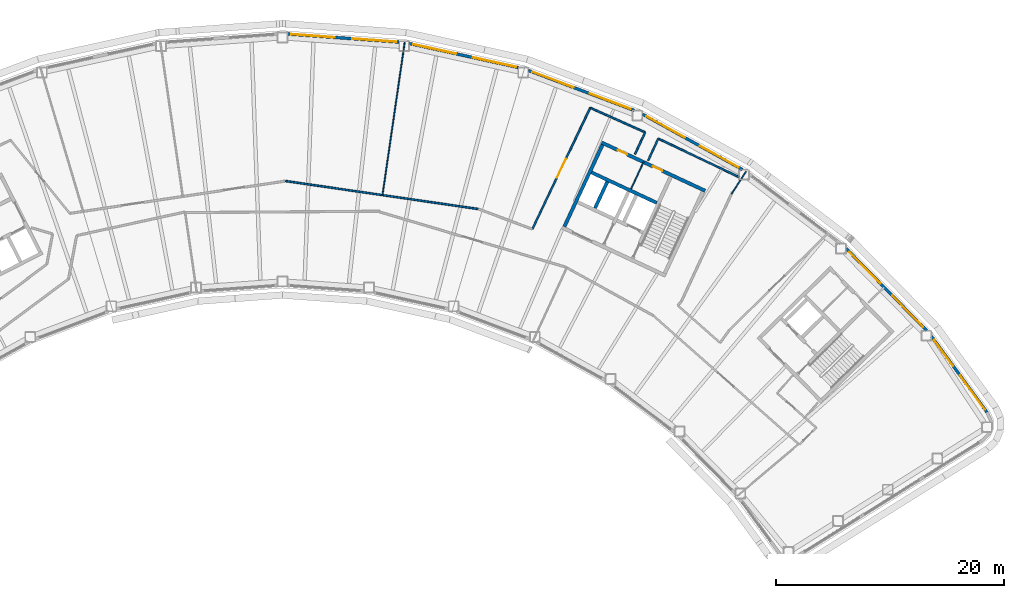
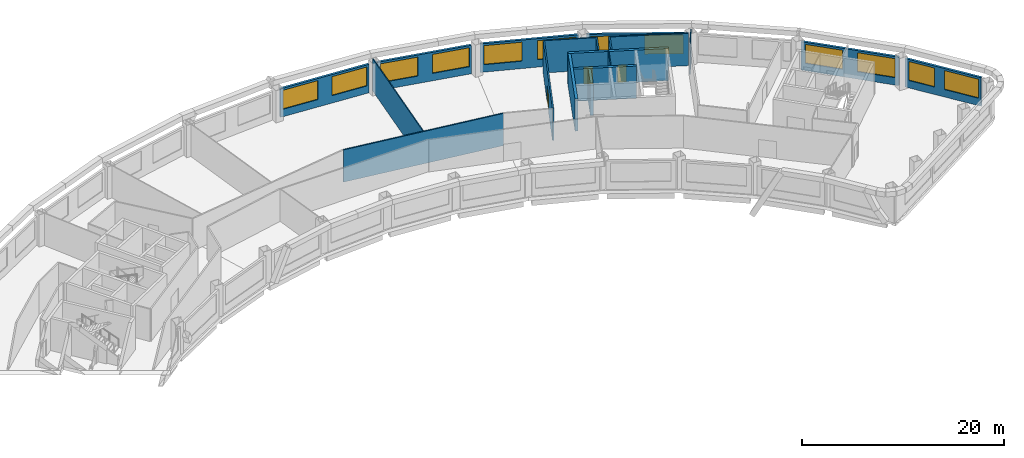
# One storey, part 9 of 12: 19 walls, 12 windows, 3 doors, 15 openings.
"""IFC4 building model written with IfcOpenShell, lengths in metres."""

from ifc_helpers import new_model, si_unit, direction, frame, frame_2d, origin, place, context, subcontext, project, spatial, rectangle, extrude, material, layer, layer_set, type_object, element, fill, save


model = new_model("IFC4")

# Units and contexts
model_context = context("Model", 3, precision=1e-05, world=origin(), true_north=direction((0.0, 1.0)))
body_context = subcontext(model_context, "Body", "Model", "MODEL_VIEW")
ifc_project = project(units=[si_unit("LENGTHUNIT", "METRE"), si_unit("AREAUNIT", "SQUARE_METRE"), si_unit("VOLUMEUNIT", "CUBIC_METRE"), si_unit("PLANEANGLEUNIT", "RADIAN"), si_unit("MASSUNIT", "GRAM", prefix="KILO")], contexts=[model_context])

# Site, building, storey
site_placement = place(None, origin())
site = spatial("IfcSite", under=ifc_project, at=site_placement, CompositionType="ELEMENT")
building_placement = place(site_placement, origin())
building = spatial("IfcBuilding", under=site, at=building_placement, Name="Tuul Gate Civic Tower", CompositionType="ELEMENT")
storey_placement = place(building_placement, frame((0.0, 0.0, 176.300048828125)))
storey = spatial("IfcBuildingStorey", under=building, at=storey_placement, Name="Level 40", CompositionType="ELEMENT", Elevation=176.300048828125)

# Wall
ifc_material_1 = material(Name="Concrete C50/60", Category="concrete")
ifc_layer_1 = layer(ifc_material_1, 0.300048828125)
ifc_layer_set_1 = layer_set([ifc_layer_1], Name="Concrete C50/60")
wall_type_1 = type_object("IfcWallType", Name="Core wall C50/60", PredefinedType="SHEAR", material=ifc_layer_set_1)
wall_1_placement = place(storey_placement, frame((33.75, -0.873779296875, 0.0), z_axis=(0.0, 0.0, 1.0), x_axis=(-0.906300917592, 0.422632992999, 0.0)))
element("IfcWall", 1, at=wall_1_placement, inside=storey, type_object=wall_type_1, Name="Core wall", PredefinedType="SHEAR", context=body_context, shape_type="SweptSolid", body=[
    extrude(rectangle(XDim=6.300048828125, YDim=0.300048828125, at=frame_2d((3.14990234375, 0.0))), origin(), (0.0, 0.0, 1.0), 3.89990234375),
])

# Wall, openings, doors
wall_2_placement = place(storey_placement, frame((37.993408203125, 0.181884765625, 0.0), z_axis=(0.0, 0.0, 1.0), x_axis=(-0.906310338845, 0.422612789327, 0.0)))
wall_2 = element("IfcWall", 2, at=wall_2_placement, inside=storey, type_object=wall_type_1, Name="Core wall", PredefinedType="SHEAR", context=body_context, shape_type="SweptSolid", body=[
    extrude(rectangle(XDim=9.999755859375, YDim=0.300048828125, at=frame_2d((5.0, 0.0))), origin(), (0.0, 0.0, 1.0), 3.89990234375),
])
opening_1_placement = place(wall_2_placement, frame((4.14990234375, 0.0, 0.0)))
opening_1 = element("IfcOpeningElement", 3, at=opening_1_placement, cuts=wall_2, Name="Opening N-D17", PredefinedType="OPENING", context=body_context, shape_type="SweptSolid", body=[
    extrude(rectangle(XDim=0.89990234375, YDim=2.10009765625, at=frame_2d((0.449951171875, 1.050048828125))), frame((0.0, 0.16015625, 0.0), z_axis=(0.0, -1.0, 0.0), x_axis=(1.0, 0.0, 0.0)), (0.0, 0.0, 1.0), 0.320068359375),
])
opening_2_placement = place(wall_2_placement, frame((7.52490234375, 0.0, 0.0)))
opening_2 = element("IfcOpeningElement", 4, at=opening_2_placement, cuts=wall_2, Name="Opening N-D18", PredefinedType="OPENING", context=body_context, shape_type="SweptSolid", body=[
    extrude(rectangle(XDim=0.89990234375, YDim=2.10009765625, at=frame_2d((0.449951171875, 1.050048828125))), frame((0.0, 0.16015625, 0.0), z_axis=(0.0, -1.0, 0.0), x_axis=(1.0, 0.0, 0.0)), (0.0, 0.0, 1.0), 0.320068359375),
])
ifc_material_2 = material(Name="Timber door leaf", Category="wood")
door_type_1 = type_object("IfcDoorType", Name="Door D09", OperationType="NOTDEFINED", PredefinedType="DOOR", material=ifc_material_2)
door_1_placement = place(opening_1_placement, origin())
door_1 = element("IfcDoor", 5, at=door_1_placement, inside=storey, type_object=door_type_1, Name="Door N-D17", OperationType="SINGLE_SWING_LEFT", OverallHeight=2.10009765625, OverallWidth=0.89990234375, PredefinedType="DOOR", context=body_context, shape_type="SweptSolid", body=[
    extrude(rectangle(XDim=0.89990234375, YDim=2.10009765625, at=frame_2d((0.449951171875, 1.050048828125))), frame((0.0, 0.02490234375, 0.0), z_axis=(0.0, -1.0, 0.0), x_axis=(1.0, 0.0, 0.0)), (0.0, 0.0, 1.0), 0.050048828125),
])
fill(opening_1, door_1)
door_2_placement = place(opening_2_placement, origin())
door_2 = element("IfcDoor", 6, at=door_2_placement, inside=storey, type_object=door_type_1, Name="Door N-D18", OperationType="SINGLE_SWING_RIGHT", OverallHeight=2.10009765625, OverallWidth=0.89990234375, PredefinedType="DOOR", context=body_context, shape_type="SweptSolid", body=[
    extrude(rectangle(XDim=0.89990234375, YDim=2.10009765625, at=frame_2d((0.449951171875, 1.050048828125))), frame((0.0, 0.02490234375, 0.0), z_axis=(0.0, -1.0, 0.0), x_axis=(1.0, 0.0, 0.0)), (0.0, 0.0, 1.0), 0.050048828125),
])
fill(opening_2, door_2)

# Walls
wall_3_placement = place(storey_placement, frame((28.349365234375, -1.33447265625, 0.0), z_axis=(0.0, 0.0, 1.0), x_axis=(0.422612891016, 0.906310291427, 0.0)))
element("IfcWall", 7, at=wall_3_placement, inside=storey, type_object=wall_type_1, Name="Core wall", PredefinedType="SHEAR", context=body_context, shape_type="SweptSolid", body=[
    extrude(rectangle(XDim=2.550048828125, YDim=0.300048828125, at=frame_2d((1.27490234375, 0.0))), origin(), (0.0, 0.0, 1.0), 3.89990234375),
])
wall_4_placement = place(storey_placement, frame((25.66455078125, -2.951416015625, 0.0), z_axis=(0.0, 0.0, 1.0), x_axis=(0.422582604137, 0.906324413596, 0.0)))
element("IfcWall", 8, at=wall_4_placement, inside=storey, type_object=wall_type_1, Name="Core wall", PredefinedType="SHEAR", context=body_context, shape_type="SweptSolid", body=[
    extrude(rectangle(XDim=7.89990234375, YDim=0.300048828125, at=frame_2d((3.949951171875, 0.0))), origin(), (0.0, 0.0, 1.0), 3.89990234375),
])
ifc_material_3 = material(Name="Gypsum board partition")
ifc_layer_2 = layer(ifc_material_3, 0.14990234375)
ifc_layer_set_2 = layer_set([ifc_layer_2], Name="Gypsum board partition")
wall_type_2 = type_object("IfcWallType", Name="Corridor wall P150", PredefinedType="PARTITIONING", material=ifc_layer_set_2)
wall_5_placement = place(storey_placement, frame((33.8916015625, 4.752685546875, 0.0), z_axis=(0.0, 0.0, 1.0), x_axis=(0.902625805937, -0.430426131243, 0.0)))
element("IfcWall", 9, at=wall_5_placement, inside=storey, type_object=wall_type_2, Name="p010", PredefinedType="PARTITIONING", context=body_context, shape_type="SweptSolid", body=[
    extrude(rectangle(XDim=7.84912109375, YDim=0.14990234375, at=frame_2d((3.924560546875, 0.0))), origin(), (0.0, 0.0, 1.0), 3.89990234375),
])
wall_6_placement = place(storey_placement, frame((33.0, 2.842041015625, 0.0), z_axis=(0.0, 0.0, 1.0), x_axis=(0.422631825542, 0.906301462008, 0.0)))
element("IfcWall", 10, at=wall_6_placement, inside=storey, type_object=wall_type_2, Name="p011", PredefinedType="PARTITIONING", context=body_context, shape_type="SweptSolid", body=[
    extrude(rectangle(XDim=2.10791015625, YDim=0.14990234375, at=frame_2d((1.053955078125, 0.0))), origin(), (0.0, 0.0, 1.0), 3.89990234375),
])
wall_7_placement = place(storey_placement, frame((31.84423828125, 3.381103515625, 0.0), z_axis=(0.0, 0.0, 1.0), x_axis=(0.422436792408, 0.90639238546, 0.0)))
element("IfcWall", 11, at=wall_7_placement, inside=storey, type_object=wall_type_2, Name="p012", PredefinedType="PARTITIONING", context=body_context, shape_type="SweptSolid", body=[
    extrude(rectangle(XDim=2.115234375, YDim=0.14990234375, at=frame_2d((1.0576171875, 0.0))), origin(), (0.0, 0.0, 1.0), 3.89990234375),
])
wall_8_placement = place(storey_placement, frame((27.93212890625, 7.44873046875, 0.0), z_axis=(0.0, 0.0, 1.0), x_axis=(0.912827805249, -0.408344704832, 0.0)))
element("IfcWall", 12, at=wall_8_placement, inside=storey, type_object=wall_type_2, Name="p013", PredefinedType="PARTITIONING", context=body_context, shape_type="SweptSolid", body=[
    extrude(rectangle(XDim=5.264404296875, YDim=0.14990234375, at=frame_2d((2.63232421875, 0.0))), origin(), (0.0, 0.0, 1.0), 3.89990234375),
])

# Wall, opening, door
wall_9_placement = place(storey_placement, frame((22.8671875, -3.15185546875, 0.0), z_axis=(0.0, 0.0, 1.0), x_axis=(0.431073076798, 0.902317018824, 0.0)))
wall_9 = element("IfcWall", 13, at=wall_9_placement, inside=storey, type_object=wall_type_2, Name="p014", PredefinedType="PARTITIONING", context=body_context, shape_type="SweptSolid", body=[
    extrude(rectangle(XDim=11.747802734375, YDim=0.14990234375, at=frame_2d((5.8740234375, 0.0))), origin(), (0.0, 0.0, 1.0), 3.89990234375),
])
opening_3_placement = place(wall_9_placement, frame((4.973876953125, 0.0, 0.0)))
opening_3 = element("IfcOpeningElement", 14, at=opening_3_placement, cuts=wall_9, Name="Opening N-D03", PredefinedType="OPENING", context=body_context, shape_type="SweptSolid", body=[
    extrude(rectangle(XDim=1.800048828125, YDim=2.10009765625, at=frame_2d((0.89990234375, 1.050048828125))), frame((0.0, 0.0849609375, 0.0), z_axis=(0.0, -1.0, 0.0), x_axis=(1.0, 0.0, 0.0)), (0.0, 0.0, 1.0), 0.169921875),
])
ifc_material_4 = material(Name="Timber door leaf, double", Category="wood")
door_type_2 = type_object("IfcDoorType", Name="Door D18", OperationType="DOUBLE_DOOR_SINGLE_SWING", PredefinedType="DOOR", material=ifc_material_4)
door_3_placement = place(opening_3_placement, origin())
door_3 = element("IfcDoor", 15, at=door_3_placement, inside=storey, type_object=door_type_2, Name="Door N-D03", OperationType="DOUBLE_DOOR_SINGLE_SWING", OverallHeight=2.10009765625, OverallWidth=1.800048828125, PredefinedType="DOOR", context=body_context, shape_type="SweptSolid", body=[
    extrude(rectangle(XDim=1.800048828125, YDim=2.10009765625, at=frame_2d((0.89990234375, 1.050048828125))), frame((0.0, 0.02490234375, 0.0), z_axis=(0.0, -1.0, 0.0), x_axis=(1.0, 0.0, 0.0)), (0.0, 0.0, 1.0), 0.050048828125),
])
fill(opening_3, door_3)

# Wall
wall_10_placement = place(storey_placement, frame((1.25537109375, 1.03857421875, 0.0), z_axis=(0.0, 0.0, 1.0), x_axis=(0.989615624531, -0.143739054139, 0.0)))
element("IfcWall", 16, at=wall_10_placement, inside=storey, type_object=wall_type_2, Name="p016", PredefinedType="PARTITIONING", context=body_context, shape_type="SweptSolid", body=[
    extrude(rectangle(XDim=17.059814453125, YDim=0.14990234375, at=frame_2d((8.52978515625, 0.0))), origin(), (0.0, 0.0, 1.0), 3.89990234375),
])

# Wall, openings, windows
ifc_material_5 = material(Name="Precast concrete C40/50", Category="concrete")
ifc_layer_3 = layer(ifc_material_5, 0.25)
ifc_layer_set_3 = layer_set([ifc_layer_3], Name="Precast concrete C40/50")
wall_type_3 = type_object("IfcWallType", Name="External wall", PredefinedType="STANDARD", material=ifc_layer_set_3)
wall_11_placement = place(storey_placement, frame((62.678955078125, -19.229736328125, 0.0), z_axis=(0.0, 0.0, 1.0), x_axis=(-0.589755466838, 0.80758187779, 0.0)))
wall_11 = element("IfcWall", 17, at=wall_11_placement, inside=storey, type_object=wall_type_3, Name="External wall", PredefinedType="STANDARD", context=body_context, shape_type="SweptSolid", body=[
    extrude(rectangle(XDim=8.25244140625, YDim=0.25, at=frame_2d((4.126220703125, 0.0))), origin(), (0.0, 0.0, 1.0), 3.449951171875),
])
opening_4_placement = place(wall_11_placement, frame((0.30078125, 0.0, 0.89990234375)))
opening_4 = element("IfcOpeningElement", 18, at=opening_4_placement, cuts=wall_11, Name="Opening W21", PredefinedType="OPENING", context=body_context, shape_type="SweptSolid", body=[
    extrude(rectangle(XDim=3.699951171875, YDim=2.300048828125, at=frame_2d((1.85009765625, 1.14990234375))), frame((0.0, 0.135009765625, 0.0), z_axis=(0.0, -1.0, 0.0), x_axis=(1.0, 0.0, 0.0)), (0.0, 0.0, 1.0), 0.27001953125),
])
opening_5_placement = place(wall_11_placement, frame((5.052734375, 0.0, 0.89990234375)))
opening_5 = element("IfcOpeningElement", 19, at=opening_5_placement, cuts=wall_11, Name="Opening W23", PredefinedType="OPENING", context=body_context, shape_type="SweptSolid", body=[
    extrude(rectangle(XDim=2.800048828125, YDim=2.300048828125, at=frame_2d((1.39990234375, 1.14990234375))), frame((0.0, 0.135009765625, 0.0), z_axis=(0.0, -1.0, 0.0), x_axis=(1.0, 0.0, 0.0)), (0.0, 0.0, 1.0), 0.27001953125),
])
ifc_material_6 = material(Name="Glass", Category="glass")
window_type_1 = type_object("IfcWindowType", Name="Window W21 3700 x 2300", PartitioningType="SINGLE_PANEL", PredefinedType="WINDOW", material=ifc_material_6)
window_1_placement = place(opening_4_placement, origin())
window_1 = element("IfcWindow", 20, at=window_1_placement, inside=storey, type_object=window_type_1, Name="Window", OverallHeight=2.300048828125, OverallWidth=3.699951171875, PartitioningType="SINGLE_PANEL", PredefinedType="WINDOW", context=body_context, shape_type="SweptSolid", body=[
    extrude(rectangle(XDim=3.699951171875, YDim=2.300048828125, at=frame_2d((1.85009765625, 1.14990234375))), frame((0.0, 0.030029296875, 0.0), z_axis=(0.0, -1.0, 0.0), x_axis=(1.0, 0.0, 0.0)), (0.0, 0.0, 1.0), 0.06005859375),
])
fill(opening_4, window_1)
ifc_material_7 = material(Name="Glass", Category="glass")
window_type_2 = type_object("IfcWindowType", Name="Window W23 2800 x 2300", PartitioningType="SINGLE_PANEL", PredefinedType="WINDOW", material=ifc_material_7)
window_2_placement = place(opening_5_placement, origin())
window_2 = element("IfcWindow", 21, at=window_2_placement, inside=storey, type_object=window_type_2, Name="Window", OverallHeight=2.300048828125, OverallWidth=2.800048828125, PartitioningType="SINGLE_PANEL", PredefinedType="WINDOW", context=body_context, shape_type="SweptSolid", body=[
    extrude(rectangle(XDim=2.800048828125, YDim=2.300048828125, at=frame_2d((1.39990234375, 1.14990234375))), frame((0.0, 0.030029296875, 0.0), z_axis=(0.0, -1.0, 0.0), x_axis=(1.0, 0.0, 0.0)), (0.0, 0.0, 1.0), 0.06005859375),
])
fill(opening_5, window_2)

wall_12_placement = place(storey_placement, frame((57.3759765625, -12.050048828125, 0.0), z_axis=(0.0, 0.0, 1.0), x_axis=(-0.700042765506, 0.714100921763, 0.0)))
wall_12 = element("IfcWall", 22, at=wall_12_placement, inside=storey, type_object=wall_type_3, Name="External wall", PredefinedType="STANDARD", context=body_context, shape_type="SweptSolid", body=[
    extrude(rectangle(XDim=10.05517578125, YDim=0.25, at=frame_2d((5.027587890625, 0.0))), origin(), (0.0, 0.0, 1.0), 3.449951171875),
])
opening_6_placement = place(wall_12_placement, frame((0.416748046875, 0.0, 0.89990234375)))
opening_6 = element("IfcOpeningElement", 23, at=opening_6_placement, cuts=wall_12, Name="Opening W22", PredefinedType="OPENING", context=body_context, shape_type="SweptSolid", body=[
    extrude(rectangle(XDim=3.85009765625, YDim=2.300048828125, at=frame_2d((1.925048828125, 1.14990234375))), frame((0.0, 0.135009765625, 0.0), z_axis=(0.0, -1.0, 0.0), x_axis=(1.0, 0.0, 0.0)), (0.0, 0.0, 1.0), 0.27001953125),
])
opening_7_placement = place(wall_12_placement, frame((5.787841796875, 0.0, 0.89990234375)))
opening_7 = element("IfcOpeningElement", 24, at=opening_7_placement, cuts=wall_12, Name="Opening W22", PredefinedType="OPENING", context=body_context, shape_type="SweptSolid", body=[
    extrude(rectangle(XDim=3.85009765625, YDim=2.300048828125, at=frame_2d((1.925048828125, 1.14990234375))), frame((0.0, 0.135009765625, 0.0), z_axis=(0.0, -1.0, 0.0), x_axis=(1.0, 0.0, 0.0)), (0.0, 0.0, 1.0), 0.27001953125),
])
ifc_material_8 = material(Name="Glass", Category="glass")
window_type_3 = type_object("IfcWindowType", Name="Window W22 3850 x 2300", PartitioningType="SINGLE_PANEL", PredefinedType="WINDOW", material=ifc_material_8)
window_3_placement = place(opening_6_placement, origin())
window_3 = element("IfcWindow", 25, at=window_3_placement, inside=storey, type_object=window_type_3, Name="Window", OverallHeight=2.300048828125, OverallWidth=3.85009765625, PartitioningType="SINGLE_PANEL", PredefinedType="WINDOW", context=body_context, shape_type="SweptSolid", body=[
    extrude(rectangle(XDim=3.85009765625, YDim=2.300048828125, at=frame_2d((1.925048828125, 1.14990234375))), frame((0.0, 0.030029296875, 0.0), z_axis=(0.0, -1.0, 0.0), x_axis=(1.0, 0.0, 0.0)), (0.0, 0.0, 1.0), 0.06005859375),
])
fill(opening_6, window_3)
window_4_placement = place(opening_7_placement, origin())
window_4 = element("IfcWindow", 26, at=window_4_placement, inside=storey, type_object=window_type_3, Name="Window", OverallHeight=2.300048828125, OverallWidth=3.85009765625, PartitioningType="SINGLE_PANEL", PredefinedType="WINDOW", context=body_context, shape_type="SweptSolid", body=[
    extrude(rectangle(XDim=3.85009765625, YDim=2.300048828125, at=frame_2d((1.925048828125, 1.14990234375))), frame((0.0, 0.030029296875, 0.0), z_axis=(0.0, -1.0, 0.0), x_axis=(1.0, 0.0, 0.0)), (0.0, 0.0, 1.0), 0.06005859375),
])
fill(opening_7, window_4)

wall_13_placement = place(storey_placement, frame((41.251220703125, 2.04296875, 0.0), z_axis=(0.0, 0.0, 1.0), x_axis=(-0.874633566806, 0.484784615903, 0.0)))
wall_13 = element("IfcWall", 27, at=wall_13_placement, inside=storey, type_object=wall_type_3, Name="External wall", PredefinedType="STANDARD", context=body_context, shape_type="SweptSolid", body=[
    extrude(rectangle(XDim=10.001220703125, YDim=0.25, at=frame_2d((5.00048828125, 0.0))), origin(), (0.0, 0.0, 1.0), 3.449951171875),
])
opening_8_placement = place(wall_13_placement, frame((0.38671875, 0.0, 0.89990234375)))
opening_8 = element("IfcOpeningElement", 28, at=opening_8_placement, cuts=wall_13, Name="Opening W22", PredefinedType="OPENING", context=body_context, shape_type="SweptSolid", body=[
    extrude(rectangle(XDim=3.85009765625, YDim=2.300048828125, at=frame_2d((1.925048828125, 1.14990234375))), frame((0.0, 0.135009765625, 0.0), z_axis=(0.0, -1.0, 0.0), x_axis=(1.0, 0.0, 0.0)), (0.0, 0.0, 1.0), 0.27001953125),
])
opening_9_placement = place(wall_13_placement, frame((5.758056640625, 0.0, 0.89990234375)))
opening_9 = element("IfcOpeningElement", 29, at=opening_9_placement, cuts=wall_13, Name="Opening W22", PredefinedType="OPENING", context=body_context, shape_type="SweptSolid", body=[
    extrude(rectangle(XDim=3.85009765625, YDim=2.300048828125, at=frame_2d((1.925048828125, 1.14990234375))), frame((0.0, 0.135009765625, 0.0), z_axis=(0.0, -1.0, 0.0), x_axis=(1.0, 0.0, 0.0)), (0.0, 0.0, 1.0), 0.27001953125),
])
window_5_placement = place(opening_8_placement, origin())
window_5 = element("IfcWindow", 30, at=window_5_placement, inside=storey, type_object=window_type_3, Name="Window", OverallHeight=2.300048828125, OverallWidth=3.85009765625, PartitioningType="SINGLE_PANEL", PredefinedType="WINDOW", context=body_context, shape_type="SweptSolid", body=[
    extrude(rectangle(XDim=3.85009765625, YDim=2.300048828125, at=frame_2d((1.925048828125, 1.14990234375))), frame((0.0, 0.030029296875, 0.0), z_axis=(0.0, -1.0, 0.0), x_axis=(1.0, 0.0, 0.0)), (0.0, 0.0, 1.0), 0.06005859375),
])
fill(opening_8, window_5)
window_6_placement = place(opening_9_placement, origin())
window_6 = element("IfcWindow", 31, at=window_6_placement, inside=storey, type_object=window_type_3, Name="Window", OverallHeight=2.300048828125, OverallWidth=3.85009765625, PartitioningType="SINGLE_PANEL", PredefinedType="WINDOW", context=body_context, shape_type="SweptSolid", body=[
    extrude(rectangle(XDim=3.85009765625, YDim=2.300048828125, at=frame_2d((1.925048828125, 1.14990234375))), frame((0.0, 0.030029296875, 0.0), z_axis=(0.0, -1.0, 0.0), x_axis=(1.0, 0.0, 0.0)), (0.0, 0.0, 1.0), 0.06005859375),
])
fill(opening_9, window_6)

wall_14_placement = place(storey_placement, frame((31.78125, 7.219970703125, 0.0), z_axis=(0.0, 0.0, 1.0), x_axis=(-0.935342915264, 0.353742322694, 0.0)))
wall_14 = element("IfcWall", 32, at=wall_14_placement, inside=storey, type_object=wall_type_3, Name="External wall", PredefinedType="STANDARD", context=body_context, shape_type="SweptSolid", body=[
    extrude(rectangle(XDim=9.904541015625, YDim=0.25, at=frame_2d((4.9521484375, 0.0))), origin(), (0.0, 0.0, 1.0), 3.449951171875),
])
opening_10_placement = place(wall_14_placement, frame((0.314208984375, 0.0, 0.89990234375)))
opening_10 = element("IfcOpeningElement", 33, at=opening_10_placement, cuts=wall_14, Name="Opening W22", PredefinedType="OPENING", context=body_context, shape_type="SweptSolid", body=[
    extrude(rectangle(XDim=3.85009765625, YDim=2.300048828125, at=frame_2d((1.925048828125, 1.14990234375))), frame((0.0, 0.135009765625, 0.0), z_axis=(0.0, -1.0, 0.0), x_axis=(1.0, 0.0, 0.0)), (0.0, 0.0, 1.0), 0.27001953125),
])
opening_11_placement = place(wall_14_placement, frame((5.685546875, 0.0, 0.89990234375)))
opening_11 = element("IfcOpeningElement", 34, at=opening_11_placement, cuts=wall_14, Name="Opening W22", PredefinedType="OPENING", context=body_context, shape_type="SweptSolid", body=[
    extrude(rectangle(XDim=3.85009765625, YDim=2.300048828125, at=frame_2d((1.925048828125, 1.14990234375))), frame((0.0, 0.135009765625, 0.0), z_axis=(0.0, -1.0, 0.0), x_axis=(1.0, 0.0, 0.0)), (0.0, 0.0, 1.0), 0.27001953125),
])
window_7_placement = place(opening_10_placement, origin())
window_7 = element("IfcWindow", 35, at=window_7_placement, inside=storey, type_object=window_type_3, Name="Window", OverallHeight=2.300048828125, OverallWidth=3.85009765625, PartitioningType="SINGLE_PANEL", PredefinedType="WINDOW", context=body_context, shape_type="SweptSolid", body=[
    extrude(rectangle(XDim=3.85009765625, YDim=2.300048828125, at=frame_2d((1.925048828125, 1.14990234375))), frame((0.0, 0.030029296875, 0.0), z_axis=(0.0, -1.0, 0.0), x_axis=(1.0, 0.0, 0.0)), (0.0, 0.0, 1.0), 0.06005859375),
])
fill(opening_10, window_7)
window_8_placement = place(opening_11_placement, origin())
window_8 = element("IfcWindow", 36, at=window_8_placement, inside=storey, type_object=window_type_3, Name="Window", OverallHeight=2.300048828125, OverallWidth=3.85009765625, PartitioningType="SINGLE_PANEL", PredefinedType="WINDOW", context=body_context, shape_type="SweptSolid", body=[
    extrude(rectangle(XDim=3.85009765625, YDim=2.300048828125, at=frame_2d((1.925048828125, 1.14990234375))), frame((0.0, 0.030029296875, 0.0), z_axis=(0.0, -1.0, 0.0), x_axis=(1.0, 0.0, 0.0)), (0.0, 0.0, 1.0), 0.06005859375),
])
fill(opening_11, window_8)

wall_15_placement = place(storey_placement, frame((21.616943359375, 10.978271484375, 0.0), z_axis=(0.0, 0.0, 1.0), x_axis=(-0.976564163257, 0.215226473842, 0.0)))
wall_15 = element("IfcWall", 37, at=wall_15_placement, inside=storey, type_object=wall_type_3, Name="External wall", PredefinedType="STANDARD", context=body_context, shape_type="SweptSolid", body=[
    extrude(rectangle(XDim=9.756591796875, YDim=0.25, at=frame_2d((4.87841796875, 0.0))), origin(), (0.0, 0.0, 1.0), 3.449951171875),
])
opening_12_placement = place(wall_15_placement, frame((0.1962890625, 0.0, 0.89990234375)))
opening_12 = element("IfcOpeningElement", 38, at=opening_12_placement, cuts=wall_15, Name="Opening W22", PredefinedType="OPENING", context=body_context, shape_type="SweptSolid", body=[
    extrude(rectangle(XDim=3.85009765625, YDim=2.300048828125, at=frame_2d((1.925048828125, 1.14990234375))), frame((0.0, 0.135009765625, 0.0), z_axis=(0.0, -1.0, 0.0), x_axis=(1.0, 0.0, 0.0)), (0.0, 0.0, 1.0), 0.27001953125),
])
opening_13_placement = place(wall_15_placement, frame((5.567626953125, 0.0, 0.89990234375)))
opening_13 = element("IfcOpeningElement", 39, at=opening_13_placement, cuts=wall_15, Name="Opening W22", PredefinedType="OPENING", context=body_context, shape_type="SweptSolid", body=[
    extrude(rectangle(XDim=3.85009765625, YDim=2.300048828125, at=frame_2d((1.925048828125, 1.14990234375))), frame((0.0, 0.135009765625, 0.0), z_axis=(0.0, -1.0, 0.0), x_axis=(1.0, 0.0, 0.0)), (0.0, 0.0, 1.0), 0.27001953125),
])
window_9_placement = place(opening_12_placement, origin())
window_9 = element("IfcWindow", 40, at=window_9_placement, inside=storey, type_object=window_type_3, Name="Window", OverallHeight=2.300048828125, OverallWidth=3.85009765625, PartitioningType="SINGLE_PANEL", PredefinedType="WINDOW", context=body_context, shape_type="SweptSolid", body=[
    extrude(rectangle(XDim=3.85009765625, YDim=2.300048828125, at=frame_2d((1.925048828125, 1.14990234375))), frame((0.0, 0.030029296875, 0.0), z_axis=(0.0, -1.0, 0.0), x_axis=(1.0, 0.0, 0.0)), (0.0, 0.0, 1.0), 0.06005859375),
])
fill(opening_12, window_9)
window_10_placement = place(opening_13_placement, origin())
window_10 = element("IfcWindow", 41, at=window_10_placement, inside=storey, type_object=window_type_3, Name="Window", OverallHeight=2.300048828125, OverallWidth=3.85009765625, PartitioningType="SINGLE_PANEL", PredefinedType="WINDOW", context=body_context, shape_type="SweptSolid", body=[
    extrude(rectangle(XDim=3.85009765625, YDim=2.300048828125, at=frame_2d((1.925048828125, 1.14990234375))), frame((0.0, 0.030029296875, 0.0), z_axis=(0.0, -1.0, 0.0), x_axis=(1.0, 0.0, 0.0)), (0.0, 0.0, 1.0), 0.06005859375),
])
fill(opening_13, window_10)

wall_16_placement = place(storey_placement, frame((11.18896484375, 13.202880859375, 0.0), z_axis=(0.0, 0.0, 1.0), x_axis=(-0.997385917902, 0.072258776432, 0.0)))
wall_16 = element("IfcWall", 42, at=wall_16_placement, inside=storey, type_object=wall_type_3, Name="External wall", PredefinedType="STANDARD", context=body_context, shape_type="SweptSolid", body=[
    extrude(rectangle(XDim=9.774658203125, YDim=0.25, at=frame_2d((4.88720703125, 0.0))), origin(), (0.0, 0.0, 1.0), 3.449951171875),
])
opening_14_placement = place(wall_16_placement, frame((0.253173828125, 0.0, 0.89990234375)))
opening_14 = element("IfcOpeningElement", 43, at=opening_14_placement, cuts=wall_16, Name="Opening W22", PredefinedType="OPENING", context=body_context, shape_type="SweptSolid", body=[
    extrude(rectangle(XDim=3.85009765625, YDim=2.300048828125, at=frame_2d((1.925048828125, 1.14990234375))), frame((0.0, 0.135009765625, 0.0), z_axis=(0.0, -1.0, 0.0), x_axis=(1.0, 0.0, 0.0)), (0.0, 0.0, 1.0), 0.27001953125),
])
opening_15_placement = place(wall_16_placement, frame((5.624267578125, 0.0, 0.89990234375)))
opening_15 = element("IfcOpeningElement", 44, at=opening_15_placement, cuts=wall_16, Name="Opening W22", PredefinedType="OPENING", context=body_context, shape_type="SweptSolid", body=[
    extrude(rectangle(XDim=3.85009765625, YDim=2.300048828125, at=frame_2d((1.925048828125, 1.14990234375))), frame((0.0, 0.135009765625, 0.0), z_axis=(0.0, -1.0, 0.0), x_axis=(1.0, 0.0, 0.0)), (0.0, 0.0, 1.0), 0.27001953125),
])
window_11_placement = place(opening_14_placement, origin())
window_11 = element("IfcWindow", 45, at=window_11_placement, inside=storey, type_object=window_type_3, Name="Window", OverallHeight=2.300048828125, OverallWidth=3.85009765625, PartitioningType="SINGLE_PANEL", PredefinedType="WINDOW", context=body_context, shape_type="SweptSolid", body=[
    extrude(rectangle(XDim=3.85009765625, YDim=2.300048828125, at=frame_2d((1.925048828125, 1.14990234375))), frame((0.0, 0.030029296875, 0.0), z_axis=(0.0, -1.0, 0.0), x_axis=(1.0, 0.0, 0.0)), (0.0, 0.0, 1.0), 0.06005859375),
])
fill(opening_14, window_11)
window_12_placement = place(opening_15_placement, origin())
window_12 = element("IfcWindow", 46, at=window_12_placement, inside=storey, type_object=window_type_3, Name="Window", OverallHeight=2.300048828125, OverallWidth=3.85009765625, PartitioningType="SINGLE_PANEL", PredefinedType="WINDOW", context=body_context, shape_type="SweptSolid", body=[
    extrude(rectangle(XDim=3.85009765625, YDim=2.300048828125, at=frame_2d((1.925048828125, 1.14990234375))), frame((0.0, 0.030029296875, 0.0), z_axis=(0.0, -1.0, 0.0), x_axis=(1.0, 0.0, 0.0)), (0.0, 0.0, 1.0), 0.06005859375),
])
fill(opening_15, window_12)

# Walls
ifc_material_9 = material(Name="Gypsum board partition")
ifc_layer_4 = layer(ifc_material_9, 0.10009765625)
ifc_layer_set_4 = layer_set([ifc_layer_4], Name="Gypsum board partition")
wall_type_4 = type_object("IfcWallType", Name="Partition P100", PredefinedType="PARTITIONING", material=ifc_layer_set_4)
wall_17_placement = place(storey_placement, frame((40.29638671875, -0.08544921875, 0.0), z_axis=(0.0, 0.0, 1.0), x_axis=(0.546714122434, 0.837319334741, 0.0)))
element("IfcWall", 47, at=wall_17_placement, inside=storey, type_object=wall_type_4, Name="p004", PredefinedType="PARTITIONING", context=body_context, shape_type="SweptSolid", body=[
    extrude(rectangle(XDim=2.33544921875, YDim=0.10009765625, at=frame_2d((1.167724609375, 0.0))), origin(), (0.0, 0.0, 1.0), 3.89990234375),
])
wall_18_placement = place(storey_placement, frame((9.740478515625, -0.19384765625, 0.0), z_axis=(0.0, 0.0, 1.0), x_axis=(0.144115887833, 0.989560817168, 0.0)))
element("IfcWall", 48, at=wall_18_placement, inside=storey, type_object=wall_type_4, Name="p009", PredefinedType="PARTITIONING", context=body_context, shape_type="SweptSolid", body=[
    extrude(rectangle(XDim=13.5068359375, YDim=0.10009765625, at=frame_2d((6.75341796875, 0.0))), origin(), (0.0, 0.0, 1.0), 3.89990234375),
])
wall_19_placement = place(storey_placement, frame((31.502197265625, 0.33984375, 0.0), z_axis=(0.0, 0.0, 1.0), x_axis=(0.422556439746, 0.906336612539, 0.0)))
element("IfcWall", 49, at=wall_19_placement, inside=storey, type_object=wall_type_4, Name="bE3-BAND-0", PredefinedType="PARTITIONING", context=body_context, shape_type="SweptSolid", body=[
    extrude(rectangle(XDim=2.599853515625, YDim=0.10009765625, at=frame_2d((1.2998046875, 0.0))), origin(), (0.0, 0.0, 1.0), 3.89990234375),
])

save(model, "model.ifc")
